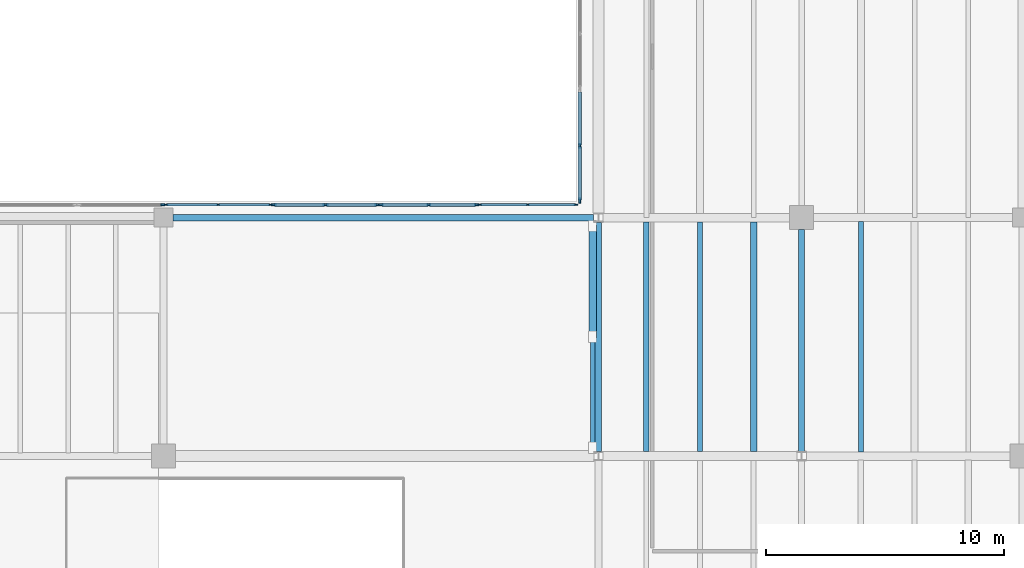
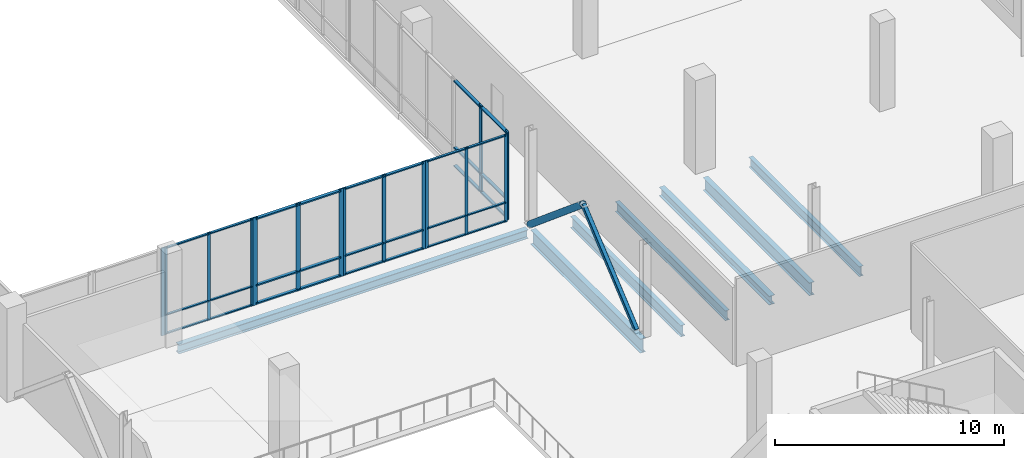
# One storey, part 44 of 81: 47 members, 7 beams, 6 elements without a shape of their own.
"""IFC4 building model written with IfcOpenShell, lengths in metres."""

from ifc_helpers import new_model, si_unit, direction, frame, origin, origin_2d, place, context, subcontext, project, spatial, rectangle, hollow_rectangle, hollow_circle, i_section, extrude, material, material_profile, profile_set, type_object, element, aggregate, save


model = new_model("IFC4")

# Units and contexts
model_context = context("Model", 3, precision=1e-05, world=origin(), true_north=direction((0.0, 1.0)))
body_context = subcontext(model_context, "Body", "Model", "MODEL_VIEW")
ifc_project = project(units=[si_unit("LENGTHUNIT", "METRE"), si_unit("AREAUNIT", "SQUARE_METRE"), si_unit("VOLUMEUNIT", "CUBIC_METRE"), si_unit("PLANEANGLEUNIT", "RADIAN"), si_unit("MASSUNIT", "GRAM", prefix="KILO")], contexts=[model_context])

# Site, building, storey
site_placement = place(None, origin())
site = spatial("IfcSite", under=ifc_project, at=site_placement, CompositionType="ELEMENT")
building_placement = place(site_placement, origin())
building = spatial("IfcBuilding", under=site, at=building_placement, Name="Trimount Lyric Opera House", CompositionType="ELEMENT")
storey_placement = place(building_placement, frame((0.0, 0.0, 5.0)))
storey = spatial("IfcBuildingStorey", under=building, at=storey_placement, Name="L01", CompositionType="ELEMENT", Elevation=5.0)

# Beams
ifc_material_1 = material(Name="Steel ASTM A992 Grade 50", Category="steel")
ifc_material_profile_1 = material_profile(ifc_material_1, i_section(OverallWidth=0.26708984375, OverallDepth=0.761962890625, WebThickness=0.014404296875, FlangeThickness=0.021484375, FilletRadius=0.01708984375, at=origin_2d()), Name="W30X116")
ifc_profile_set_1 = profile_set([ifc_material_profile_1], Name="Steel ASTM A992 Grade 50")
beam_type_1 = type_object("IfcBeamType", Name="B-07", PredefinedType="BEAM", material=ifc_profile_set_1)
beam_1_placement = place(storey_placement, frame((148.239990234375, 64.18408203125, -0.660888671875), z_axis=(0.0, 1.0, 0.0), x_axis=(-1.0, 0.0, 0.0)))
element("IfcBeam", 1, at=beam_1_placement, inside=storey, type_object=beam_type_1, Name="L01 girder Y-0685", PredefinedType="BEAM", context=body_context, shape_type="SweptSolid", body=[
    extrude(i_section(OverallWidth=0.26708984375, OverallDepth=0.761962890625, WebThickness=0.014404296875, FlangeThickness=0.021484375, FilletRadius=0.01708984375, at=origin_2d()), origin(), (0.0, 0.0, 1.0), 9.622802734375),
])
ifc_material_2 = material(Name="Steel ASTM A992 Grade 50", Category="steel")
ifc_material_profile_2 = material_profile(ifc_material_2, i_section(OverallWidth=0.25390625, OverallDepth=0.68798828125, WebThickness=0.01318359375, FlangeThickness=0.02099609375, FilletRadius=0.01611328125, at=origin_2d()), Name="W27X102")
ifc_profile_set_2 = profile_set([ifc_material_profile_2], Name="Steel ASTM A992 Grade 50")
beam_type_2 = type_object("IfcBeamType", Name="B-09", PredefinedType="BEAM", material=ifc_profile_set_2)
beam_2_placement = place(storey_placement, frame((156.760009765625, 64.193115234375, -0.6240234375), z_axis=(0.0, 1.0, 0.0), x_axis=(-1.0, 0.0, 0.0)))
element("IfcBeam", 2, at=beam_2_placement, inside=storey, type_object=beam_type_2, Name="L01 girder Y-0692", PredefinedType="BEAM", context=body_context, shape_type="SweptSolid", body=[
    extrude(i_section(OverallWidth=0.25390625, OverallDepth=0.68798828125, WebThickness=0.01318359375, FlangeThickness=0.02099609375, FilletRadius=0.01611328125, at=origin_2d()), origin(), (0.0, 0.0, 1.0), 9.306884765625),
])

# Members
ifc_material_3 = material(Name="Steel ASTM A500 Grade C", Category="steel")
ifc_material_profile_3 = material_profile(ifc_material_3, hollow_rectangle(XDim=0.203125, YDim=0.203125, WallThickness=0.0087890625, InnerFilletRadius=0.00927734375, OuterFilletRadius=0.01806640625, at=origin_2d()), Name="HSS203.2X203.2X9.5")
ifc_profile_set_3 = profile_set([ifc_material_profile_3], Name="Steel ASTM A500 Grade C")
member_type_1 = type_object("IfcMemberType", Name="BR-04", PredefinedType="BRACE", material=ifc_profile_set_3)
member_1_placement = place(storey_placement, frame((148.0, 64.35009765625, 0.14990234375), z_axis=(0.0, 0.766173014074, 0.642634353661), x_axis=(-1.0, 0.0, 0.0)))
element("IfcMember", 3, at=member_1_placement, inside=storey, type_object=member_type_1, Name="L01 lateral chevron brace BF-4.1", PredefinedType="BRACE", context=body_context, shape_type="SweptSolid", body=[
    extrude(hollow_rectangle(XDim=0.203125, YDim=0.203125, WallThickness=0.0087890625, InnerFilletRadius=0.00927734375, OuterFilletRadius=0.01806640625, at=origin_2d()), origin(), (0.0, 0.0, 1.0), 6.069091796875),
])
ifc_material_4 = material(Name="Steel ASTM A500 Grade C", Category="steel")
ifc_material_profile_4 = material_profile(ifc_material_4, hollow_circle(Radius=0.161865234375, WallThickness=0.01171875, at=origin_2d()), Name="HSS323.9X12.7")
ifc_profile_set_4 = profile_set([ifc_material_profile_4], Name="Steel ASTM A500 Grade C")
member_type_2 = type_object("IfcMemberType", Name="BR-05", PredefinedType="BRACE", material=ifc_profile_set_4)
member_2_placement = place(storey_placement, frame((148.0, 73.64990234375, 0.14990234375), z_axis=(0.0, -0.766173014074, 0.642634353661), x_axis=(1.0, 0.0, 0.0)))
element("IfcMember", 4, at=member_2_placement, inside=storey, type_object=member_type_2, Name="L01 lateral chevron brace BF-4.2", PredefinedType="BRACE", context=body_context, shape_type="SweptSolid", body=[
    extrude(hollow_circle(Radius=0.161865234375, WallThickness=0.01171875, at=origin_2d()), origin(), (0.0, 0.0, 1.0), 6.069091796875),
])

# Beams
ifc_material_5 = material(Name="Steel ASTM A992 Grade 50", Category="steel")
ifc_material_profile_5 = material_profile(ifc_material_5, i_section(OverallWidth=0.22802734375, OverallDepth=0.60205078125, WebThickness=0.010498046875, FlangeThickness=0.014892578125, FilletRadius=0.012939453125, at=origin_2d()), Name="W24X68")
ifc_profile_set_5 = profile_set([ifc_material_profile_5], Name="Steel ASTM A992 Grade 50")
beam_type_3 = type_object("IfcBeamType", Name="J-01", PredefinedType="BEAM", material=ifc_profile_set_5)
beam_3_placement = place(storey_placement, frame((150.25, 64.18701171875, -0.5810546875), z_axis=(0.0, 1.0, 0.0), x_axis=(-1.0, 0.0, 0.0)))
element("IfcBeam", 5, at=beam_3_placement, inside=storey, type_object=beam_type_3, Name="L01 composite floor joist 0737", PredefinedType="BEAM", context=body_context, shape_type="SweptSolid", body=[
    extrude(i_section(OverallWidth=0.22802734375, OverallDepth=0.60205078125, WebThickness=0.010498046875, FlangeThickness=0.014892578125, FilletRadius=0.012939453125, at=origin_2d()), origin(), (0.0, 0.0, 1.0), 9.638916015625),
])
ifc_material_6 = material(Name="Steel ASTM A992 Grade 50", Category="steel")
ifc_material_profile_6 = material_profile(ifc_material_6, i_section(OverallWidth=0.2099609375, OverallDepth=0.532958984375, WebThickness=0.01025390625, FlangeThickness=0.015625, FilletRadius=0.012939453125, at=origin_2d()), Name="W21X62")
ifc_profile_set_6 = profile_set([ifc_material_profile_6], Name="Steel ASTM A992 Grade 50")
beam_type_4 = type_object("IfcBeamType", Name="J-02", PredefinedType="BEAM", material=ifc_profile_set_6)
beam_4_placement = place(storey_placement, frame((152.5, 64.18701171875, -0.54638671875), z_axis=(0.0, 1.0, 0.0), x_axis=(-1.0, 0.0, 0.0)))
element("IfcBeam", 6, at=beam_4_placement, inside=storey, type_object=beam_type_4, Name="L01 composite floor joist 0738", PredefinedType="BEAM", context=body_context, shape_type="SweptSolid", body=[
    extrude(i_section(OverallWidth=0.2099609375, OverallDepth=0.532958984375, WebThickness=0.01025390625, FlangeThickness=0.015625, FilletRadius=0.012939453125, at=origin_2d()), origin(), (0.0, 0.0, 1.0), 9.638916015625),
])
beam_5_placement = place(storey_placement, frame((159.25, 64.174072265625, -0.54638671875), z_axis=(0.0, 1.0, 0.0), x_axis=(-1.0, 0.0, 0.0)))
element("IfcBeam", 7, at=beam_5_placement, inside=storey, type_object=beam_type_4, Name="L01 composite floor joist 0761", PredefinedType="BEAM", context=body_context, shape_type="SweptSolid", body=[
    extrude(i_section(OverallWidth=0.2099609375, OverallDepth=0.532958984375, WebThickness=0.01025390625, FlangeThickness=0.015625, FilletRadius=0.012939453125, at=origin_2d()), origin(), (0.0, 0.0, 1.0), 9.666015625),
])
ifc_material_7 = material(Name="Steel ASTM A992 Grade 50", Category="steel")
ifc_material_profile_7 = material_profile(ifc_material_7, i_section(OverallWidth=0.281982421875, OverallDepth=0.467041015625, WebThickness=0.01220703125, FlangeThickness=0.01953125, FilletRadius=0.012939453125, at=origin_2d()), Name="W18X86")
ifc_profile_set_7 = profile_set([ifc_material_profile_7], Name="Steel ASTM A992 Grade 50")
beam_type_5 = type_object("IfcBeamType", Name="J-03", PredefinedType="BEAM", material=ifc_profile_set_7)
beam_6_placement = place(storey_placement, frame((154.75, 64.18701171875, -0.513427734375), z_axis=(0.0, 1.0, 0.0), x_axis=(-1.0, 0.0, 0.0)))
element("IfcBeam", 8, at=beam_6_placement, inside=storey, type_object=beam_type_5, Name="L01 composite floor joist 0739", PredefinedType="BEAM", context=body_context, shape_type="SweptSolid", body=[
    extrude(i_section(OverallWidth=0.281982421875, OverallDepth=0.467041015625, WebThickness=0.01220703125, FlangeThickness=0.01953125, FilletRadius=0.012939453125, at=origin_2d()), origin(), (0.0, 0.0, 1.0), 9.638916015625),
])

# Curtain wall, members
ifc_material_8 = material(Name="Thermally Broken Aluminium and Low-E Glass", Category="aluminium")
curtain_wall_type = type_object("IfcCurtainWallType", Name="CW-03", PredefinedType="NOTDEFINED", material=ifc_material_8)
curtain_wall_1_placement = place(storey_placement, origin())
curtain_wall_1 = element("IfcCurtainWall", 9, at=curtain_wall_1_placement, inside=storey, type_object=curtain_wall_type, Name="L01 curtain wall 123", PredefinedType="NOTDEFINED")
ifc_material_9 = material(Name="Anodised Aluminium 6063-T6", Category="aluminium")
ifc_material_profile_8 = material_profile(ifc_material_9, rectangle(XDim=0.070068359375, YDim=0.219970703125, at=origin_2d()), Name="ALU-MULL-70X220")
ifc_profile_set_8 = profile_set([ifc_material_profile_8], Name="Anodised Aluminium 6063-T6")
member_type_3 = type_object("IfcMemberType", Name="ML-01", PredefinedType="MULLION", material=ifc_profile_set_8)
member_3_placement = place(storey_placement, frame((134.625, 74.5400390625, 0.0), z_axis=(0.0, 0.0, 1.0), x_axis=(0.0, 1.0, 0.0)))
member_3 = element("IfcMember", 10, at=member_3_placement, type_object=member_type_3, Name="CW-03 mullion 1", PredefinedType="MULLION", context=body_context, shape_type="SweptSolid", body=[
    extrude(rectangle(XDim=0.070068359375, YDim=0.219970703125, at=origin_2d()), origin(), (0.0, 0.0, 1.0), 4.679931640625),
])
member_4_placement = place(storey_placement, frame((136.794921875, 74.5400390625, 0.0), z_axis=(0.0, 0.0, 1.0), x_axis=(0.0, 1.0, 0.0)))
member_4 = element("IfcMember", 11, at=member_4_placement, type_object=member_type_3, Name="CW-03 mullion 2", PredefinedType="MULLION", context=body_context, shape_type="SweptSolid", body=[
    extrude(rectangle(XDim=0.070068359375, YDim=0.219970703125, at=origin_2d()), origin(), (0.0, 0.0, 1.0), 4.679931640625),
])
member_5_placement = place(storey_placement, frame((138.965087890625, 74.5400390625, 0.0), z_axis=(0.0, 0.0, 1.0), x_axis=(0.0, 1.0, 0.0)))
member_5 = element("IfcMember", 12, at=member_5_placement, type_object=member_type_3, Name="CW-03 mullion 3", PredefinedType="MULLION", context=body_context, shape_type="SweptSolid", body=[
    extrude(rectangle(XDim=0.070068359375, YDim=0.219970703125, at=origin_2d()), origin(), (0.0, 0.0, 1.0), 4.679931640625),
])

curtain_wall_2_placement = place(storey_placement, origin())
curtain_wall_2 = element("IfcCurtainWall", 13, at=curtain_wall_2_placement, inside=storey, type_object=curtain_wall_type, Name="L01 curtain wall 126", PredefinedType="NOTDEFINED")
member_6_placement = place(storey_placement, frame((147.4599609375, 74.715087890625, 0.0), z_axis=(0.0, 0.0, 1.0), x_axis=(-1.0, 0.0, 0.0)))
member_6 = element("IfcMember", 14, at=member_6_placement, type_object=member_type_3, Name="CW-03 mullion 1", PredefinedType="MULLION", context=body_context, shape_type="SweptSolid", body=[
    extrude(rectangle(XDim=0.070068359375, YDim=0.219970703125, at=origin_2d()), origin(), (0.0, 0.0, 1.0), 4.679931640625),
])
member_7_placement = place(storey_placement, frame((147.4599609375, 77.010009765625, 0.0), z_axis=(0.0, 0.0, 1.0), x_axis=(-1.0, 0.0, 0.0)))
member_7 = element("IfcMember", 15, at=member_7_placement, type_object=member_type_3, Name="CW-03 mullion 2", PredefinedType="MULLION", context=body_context, shape_type="SweptSolid", body=[
    extrude(rectangle(XDim=0.070068359375, YDim=0.219970703125, at=origin_2d()), origin(), (0.0, 0.0, 1.0), 4.679931640625),
])

# Curtain wall, member
curtain_wall_3_placement = place(storey_placement, origin())
curtain_wall_3 = element("IfcCurtainWall", 16, at=curtain_wall_3_placement, inside=storey, type_object=curtain_wall_type, Name="L01 curtain wall 121", PredefinedType="NOTDEFINED")
ifc_material_10 = material(Name="Anodised Aluminium 6063-T6", Category="aluminium")
ifc_material_profile_9 = material_profile(ifc_material_10, rectangle(XDim=0.06494140625, YDim=0.179931640625, at=origin_2d()), Name="ALU-MULL-65X180")
ifc_profile_set_9 = profile_set([ifc_material_profile_9], Name="Anodised Aluminium 6063-T6")
member_type_4 = type_object("IfcMemberType", Name="ML-02", PredefinedType="MULLION", material=ifc_profile_set_9)
member_8_placement = place(storey_placement, frame((129.967529296875, 74.5400390625, 0.0), z_axis=(0.0, 0.0, 1.0), x_axis=(0.0, 1.0, 0.0)))
member_8 = element("IfcMember", 17, at=member_8_placement, type_object=member_type_4, Name="CW-03 mullion 2", PredefinedType="MULLION", context=body_context, shape_type="SweptSolid", body=[
    extrude(rectangle(XDim=0.06494140625, YDim=0.179931640625, at=origin_2d()), origin(), (0.0, 0.0, 1.0), 4.679931640625),
])
aggregate(curtain_wall_3, [member_8])

# Curtain wall, members
curtain_wall_4_placement = place(storey_placement, origin())
curtain_wall_4 = element("IfcCurtainWall", 18, at=curtain_wall_4_placement, inside=storey, type_object=curtain_wall_type, Name="L01 curtain wall 124", PredefinedType="NOTDEFINED")
member_9_placement = place(storey_placement, frame((139.12255859375, 74.5400390625, 0.0), z_axis=(0.0, 0.0, 1.0), x_axis=(0.0, 1.0, 0.0)))
member_9 = element("IfcMember", 19, at=member_9_placement, type_object=member_type_4, Name="CW-03 mullion 1", PredefinedType="MULLION", context=body_context, shape_type="SweptSolid", body=[
    extrude(rectangle(XDim=0.06494140625, YDim=0.179931640625, at=origin_2d()), origin(), (0.0, 0.0, 1.0), 4.679931640625),
])
member_10_placement = place(storey_placement, frame((141.125, 74.5400390625, 0.0), z_axis=(0.0, 0.0, 1.0), x_axis=(0.0, 1.0, 0.0)))
member_10 = element("IfcMember", 20, at=member_10_placement, type_object=member_type_4, Name="CW-03 mullion 2", PredefinedType="MULLION", context=body_context, shape_type="SweptSolid", body=[
    extrude(rectangle(XDim=0.06494140625, YDim=0.179931640625, at=origin_2d()), origin(), (0.0, 0.0, 1.0), 4.679931640625),
])
member_11_placement = place(storey_placement, frame((143.12744140625, 74.5400390625, 0.0), z_axis=(0.0, 0.0, 1.0), x_axis=(0.0, 1.0, 0.0)))
member_11 = element("IfcMember", 21, at=member_11_placement, type_object=member_type_4, Name="CW-03 mullion 3", PredefinedType="MULLION", context=body_context, shape_type="SweptSolid", body=[
    extrude(rectangle(XDim=0.06494140625, YDim=0.179931640625, at=origin_2d()), origin(), (0.0, 0.0, 1.0), 4.679931640625),
])

curtain_wall_5_placement = place(storey_placement, origin())
curtain_wall_5 = element("IfcCurtainWall", 22, at=curtain_wall_5_placement, inside=storey, type_object=curtain_wall_type, Name="L01 curtain wall 122", PredefinedType="NOTDEFINED")
ifc_material_11 = material(Name="Anodised Aluminium 6063-T6", Category="aluminium")
ifc_material_profile_10 = material_profile(ifc_material_11, rectangle(XDim=0.06005859375, YDim=0.14990234375, at=origin_2d()), Name="ALU-MULL-60X150")
ifc_profile_set_10 = profile_set([ifc_material_profile_10], Name="Anodised Aluminium 6063-T6")
member_type_5 = type_object("IfcMemberType", Name="ML-03", PredefinedType="MULLION", material=ifc_profile_set_10)
member_12_placement = place(storey_placement, frame((130.1201171875, 74.5400390625, 0.0), z_axis=(0.0, 0.0, 1.0), x_axis=(0.0, 1.0, 0.0)))
member_12 = element("IfcMember", 23, at=member_12_placement, type_object=member_type_5, Name="CW-03 mullion 1", PredefinedType="MULLION", context=body_context, shape_type="SweptSolid", body=[
    extrude(rectangle(XDim=0.06005859375, YDim=0.14990234375, at=origin_2d()), origin(), (0.0, 0.0, 1.0), 4.679931640625),
])
member_13_placement = place(storey_placement, frame((132.294921875, 74.5400390625, 0.0), z_axis=(0.0, 0.0, 1.0), x_axis=(0.0, 1.0, 0.0)))
member_13 = element("IfcMember", 24, at=member_13_placement, type_object=member_type_5, Name="CW-03 mullion 2", PredefinedType="MULLION", context=body_context, shape_type="SweptSolid", body=[
    extrude(rectangle(XDim=0.06005859375, YDim=0.14990234375, at=origin_2d()), origin(), (0.0, 0.0, 1.0), 4.679931640625),
])
member_14_placement = place(storey_placement, frame((134.469970703125, 74.5400390625, 0.0), z_axis=(0.0, 0.0, 1.0), x_axis=(0.0, 1.0, 0.0)))
member_14 = element("IfcMember", 25, at=member_14_placement, type_object=member_type_5, Name="CW-03 mullion 3", PredefinedType="MULLION", context=body_context, shape_type="SweptSolid", body=[
    extrude(rectangle(XDim=0.06005859375, YDim=0.14990234375, at=origin_2d()), origin(), (0.0, 0.0, 1.0), 4.679931640625),
])

curtain_wall_6_placement = place(storey_placement, origin())
curtain_wall_6 = element("IfcCurtainWall", 26, at=curtain_wall_6_placement, inside=storey, type_object=curtain_wall_type, Name="L01 curtain wall 125", PredefinedType="NOTDEFINED")
member_15_placement = place(storey_placement, frame((143.280029296875, 74.5400390625, 0.0), z_axis=(0.0, 0.0, 1.0), x_axis=(0.0, 1.0, 0.0)))
member_15 = element("IfcMember", 27, at=member_15_placement, type_object=member_type_5, Name="CW-03 mullion 1", PredefinedType="MULLION", context=body_context, shape_type="SweptSolid", body=[
    extrude(rectangle(XDim=0.06005859375, YDim=0.14990234375, at=origin_2d()), origin(), (0.0, 0.0, 1.0), 4.679931640625),
])
member_16_placement = place(storey_placement, frame((145.284912109375, 74.5400390625, 0.0), z_axis=(0.0, 0.0, 1.0), x_axis=(0.0, 1.0, 0.0)))
member_16 = element("IfcMember", 28, at=member_16_placement, type_object=member_type_5, Name="CW-03 mullion 2", PredefinedType="MULLION", context=body_context, shape_type="SweptSolid", body=[
    extrude(rectangle(XDim=0.06005859375, YDim=0.14990234375, at=origin_2d()), origin(), (0.0, 0.0, 1.0), 4.679931640625),
])
member_17_placement = place(storey_placement, frame((147.2900390625, 74.5400390625, 0.0), z_axis=(0.0, 0.0, 1.0), x_axis=(0.0, 1.0, 0.0)))
member_17 = element("IfcMember", 29, at=member_17_placement, type_object=member_type_5, Name="CW-03 mullion 3", PredefinedType="MULLION", context=body_context, shape_type="SweptSolid", body=[
    extrude(rectangle(XDim=0.06005859375, YDim=0.14990234375, at=origin_2d()), origin(), (0.0, 0.0, 1.0), 4.679931640625),
])

# Beam
ifc_material_12 = material(Name="Steel ASTM A992 Grade 50", Category="steel")
ifc_material_profile_11 = material_profile(ifc_material_12, i_section(OverallWidth=0.281982421875, OverallDepth=0.467041015625, WebThickness=0.01220703125, FlangeThickness=0.01953125, FilletRadius=0.012939453125, at=origin_2d()), Name="W18X86")
ifc_profile_set_11 = profile_set([ifc_material_profile_11], Name="Steel ASTM A992 Grade 50")
beam_type_6 = type_object("IfcBeamType", Name="SP-01", PredefinedType="SPANDREL", material=ifc_profile_set_11)
beam_7_placement = place(storey_placement, frame((130.39990234375, 74.0, -0.513427734375), z_axis=(1.0, 0.0, 0.0), x_axis=(0.0, 1.0, 0.0)))
element("IfcBeam", 30, at=beam_7_placement, inside=storey, type_object=beam_type_6, Name="L01 girder X-0529", PredefinedType="SPANDREL", context=body_context, shape_type="SweptSolid", body=[
    extrude(i_section(OverallWidth=0.281982421875, OverallDepth=0.467041015625, WebThickness=0.01220703125, FlangeThickness=0.01953125, FilletRadius=0.012939453125, at=origin_2d()), origin(), (0.0, 0.0, 1.0), 17.640625),
])

# Member
ifc_material_13 = material(Name="Anodised Aluminium 6063-T6", Category="aluminium")
ifc_material_profile_12 = material_profile(ifc_material_13, rectangle(XDim=0.159912109375, YDim=0.070068359375, at=origin_2d()), Name="ALU-TRAN-70X160")
ifc_profile_set_12 = profile_set([ifc_material_profile_12], Name="Anodised Aluminium 6063-T6")
member_type_6 = type_object("IfcMemberType", Name="TR-01", PredefinedType="USERDEFINED", material=ifc_profile_set_12)
member_18_placement = place(storey_placement, frame((134.659912109375, 74.5400390625, 0.080078125), z_axis=(1.0, 0.0, 0.0), x_axis=(0.0, 1.0, 0.0)))
member_18 = element("IfcMember", 31, at=member_18_placement, type_object=member_type_6, Name="CW-03 transom 1.1", ObjectType="TRANSOM", PredefinedType="USERDEFINED", context=body_context, shape_type="SweptSolid", body=[
    extrude(rectangle(XDim=0.159912109375, YDim=0.070068359375, at=origin_2d()), origin(), (0.0, 0.0, 1.0), 2.10009765625),
])

member_19_placement = place(storey_placement, frame((134.659912109375, 74.5400390625, 1.050048828125), z_axis=(1.0, 0.0, 0.0), x_axis=(0.0, 1.0, 0.0)))
member_19 = element("IfcMember", 32, at=member_19_placement, type_object=member_type_6, Name="CW-03 transom 1.2", ObjectType="TRANSOM", PredefinedType="USERDEFINED", context=body_context, shape_type="SweptSolid", body=[
    extrude(rectangle(XDim=0.159912109375, YDim=0.070068359375, at=origin_2d()), origin(), (0.0, 0.0, 1.0), 2.10009765625),
])

member_20_placement = place(storey_placement, frame((134.659912109375, 74.5400390625, 4.60009765625), z_axis=(1.0, 0.0, 0.0), x_axis=(0.0, 1.0, 0.0)))
member_20 = element("IfcMember", 33, at=member_20_placement, type_object=member_type_6, Name="CW-03 transom 1.3", ObjectType="TRANSOM", PredefinedType="USERDEFINED", context=body_context, shape_type="SweptSolid", body=[
    extrude(rectangle(XDim=0.159912109375, YDim=0.070068359375, at=origin_2d()), origin(), (0.0, 0.0, 1.0), 2.10009765625),
])

member_21_placement = place(storey_placement, frame((136.830078125, 74.5400390625, 0.080078125), z_axis=(1.0, 0.0, 0.0), x_axis=(0.0, 1.0, 0.0)))
member_21 = element("IfcMember", 34, at=member_21_placement, type_object=member_type_6, Name="CW-03 transom 2.1", ObjectType="TRANSOM", PredefinedType="USERDEFINED", context=body_context, shape_type="SweptSolid", body=[
    extrude(rectangle(XDim=0.159912109375, YDim=0.070068359375, at=origin_2d()), origin(), (0.0, 0.0, 1.0), 2.099853515625),
])

member_22_placement = place(storey_placement, frame((136.830078125, 74.5400390625, 1.050048828125), z_axis=(1.0, 0.0, 0.0), x_axis=(0.0, 1.0, 0.0)))
member_22 = element("IfcMember", 35, at=member_22_placement, type_object=member_type_6, Name="CW-03 transom 2.2", ObjectType="TRANSOM", PredefinedType="USERDEFINED", context=body_context, shape_type="SweptSolid", body=[
    extrude(rectangle(XDim=0.159912109375, YDim=0.070068359375, at=origin_2d()), origin(), (0.0, 0.0, 1.0), 2.099853515625),
])

member_23_placement = place(storey_placement, frame((136.830078125, 74.5400390625, 4.60009765625), z_axis=(1.0, 0.0, 0.0), x_axis=(0.0, 1.0, 0.0)))
member_23 = element("IfcMember", 36, at=member_23_placement, type_object=member_type_6, Name="CW-03 transom 2.3", ObjectType="TRANSOM", PredefinedType="USERDEFINED", context=body_context, shape_type="SweptSolid", body=[
    extrude(rectangle(XDim=0.159912109375, YDim=0.070068359375, at=origin_2d()), origin(), (0.0, 0.0, 1.0), 2.099853515625),
])

aggregate(curtain_wall_1, [member_3, member_4, member_5, member_18, member_19, member_20, member_21, member_22, member_23])

member_24_placement = place(storey_placement, frame((147.4599609375, 74.75, 0.080078125), z_axis=(0.0, 1.0, 0.0), x_axis=(-1.0, 0.0, 0.0)))
member_24 = element("IfcMember", 37, at=member_24_placement, type_object=member_type_6, Name="CW-03 transom 1.1", ObjectType="TRANSOM", PredefinedType="USERDEFINED", context=body_context, shape_type="SweptSolid", body=[
    extrude(rectangle(XDim=0.159912109375, YDim=0.070068359375, at=origin_2d()), origin(), (0.0, 0.0, 1.0), 2.22509765625),
])

member_25_placement = place(storey_placement, frame((147.4599609375, 74.75, 1.050048828125), z_axis=(0.0, 1.0, 0.0), x_axis=(-1.0, 0.0, 0.0)))
member_25 = element("IfcMember", 38, at=member_25_placement, type_object=member_type_6, Name="CW-03 transom 1.2", ObjectType="TRANSOM", PredefinedType="USERDEFINED", context=body_context, shape_type="SweptSolid", body=[
    extrude(rectangle(XDim=0.159912109375, YDim=0.070068359375, at=origin_2d()), origin(), (0.0, 0.0, 1.0), 2.22509765625),
])

member_26_placement = place(storey_placement, frame((147.4599609375, 74.75, 4.60009765625), z_axis=(0.0, 1.0, 0.0), x_axis=(-1.0, 0.0, 0.0)))
member_26 = element("IfcMember", 39, at=member_26_placement, type_object=member_type_6, Name="CW-03 transom 1.3", ObjectType="TRANSOM", PredefinedType="USERDEFINED", context=body_context, shape_type="SweptSolid", body=[
    extrude(rectangle(XDim=0.159912109375, YDim=0.070068359375, at=origin_2d()), origin(), (0.0, 0.0, 1.0), 2.22509765625),
])

member_27_placement = place(storey_placement, frame((147.4599609375, 77.044921875, 0.080078125), z_axis=(0.0, 1.0, 0.0), x_axis=(-1.0, 0.0, 0.0)))
member_27 = element("IfcMember", 40, at=member_27_placement, type_object=member_type_6, Name="CW-03 transom 2.1", ObjectType="TRANSOM", PredefinedType="USERDEFINED", context=body_context, shape_type="SweptSolid", body=[
    extrude(rectangle(XDim=0.159912109375, YDim=0.070068359375, at=origin_2d()), origin(), (0.0, 0.0, 1.0), 2.22509765625),
])

member_28_placement = place(storey_placement, frame((147.4599609375, 77.044921875, 1.050048828125), z_axis=(0.0, 1.0, 0.0), x_axis=(-1.0, 0.0, 0.0)))
member_28 = element("IfcMember", 41, at=member_28_placement, type_object=member_type_6, Name="CW-03 transom 2.2", ObjectType="TRANSOM", PredefinedType="USERDEFINED", context=body_context, shape_type="SweptSolid", body=[
    extrude(rectangle(XDim=0.159912109375, YDim=0.070068359375, at=origin_2d()), origin(), (0.0, 0.0, 1.0), 2.22509765625),
])

member_29_placement = place(storey_placement, frame((147.4599609375, 77.044921875, 4.60009765625), z_axis=(0.0, 1.0, 0.0), x_axis=(-1.0, 0.0, 0.0)))
member_29 = element("IfcMember", 42, at=member_29_placement, type_object=member_type_6, Name="CW-03 transom 2.3", ObjectType="TRANSOM", PredefinedType="USERDEFINED", context=body_context, shape_type="SweptSolid", body=[
    extrude(rectangle(XDim=0.159912109375, YDim=0.070068359375, at=origin_2d()), origin(), (0.0, 0.0, 1.0), 2.22509765625),
])

aggregate(curtain_wall_2, [member_6, member_7, member_24, member_25, member_26, member_27, member_28, member_29])

ifc_material_14 = material(Name="Anodised Aluminium 6063-T6", Category="aluminium")
ifc_material_profile_13 = material_profile(ifc_material_14, rectangle(XDim=0.135009765625, YDim=0.06494140625, at=origin_2d()), Name="ALU-TRAN-65X135")
ifc_profile_set_13 = profile_set([ifc_material_profile_13], Name="Anodised Aluminium 6063-T6")
member_type_7 = type_object("IfcMemberType", Name="TR-02", PredefinedType="USERDEFINED", material=ifc_profile_set_13)
member_30_placement = place(storey_placement, frame((139.155029296875, 74.5400390625, 0.0673828125), z_axis=(1.0, 0.0, 0.0), x_axis=(0.0, 1.0, 0.0)))
member_30 = element("IfcMember", 43, at=member_30_placement, type_object=member_type_7, Name="CW-03 transom 1.1", ObjectType="TRANSOM", PredefinedType="USERDEFINED", context=body_context, shape_type="SweptSolid", body=[
    extrude(rectangle(XDim=0.135009765625, YDim=0.06494140625, at=origin_2d()), origin(), (0.0, 0.0, 1.0), 1.9375),
])

member_31_placement = place(storey_placement, frame((139.155029296875, 74.5400390625, 1.050048828125), z_axis=(1.0, 0.0, 0.0), x_axis=(0.0, 1.0, 0.0)))
member_31 = element("IfcMember", 44, at=member_31_placement, type_object=member_type_7, Name="CW-03 transom 1.2", ObjectType="TRANSOM", PredefinedType="USERDEFINED", context=body_context, shape_type="SweptSolid", body=[
    extrude(rectangle(XDim=0.135009765625, YDim=0.06494140625, at=origin_2d()), origin(), (0.0, 0.0, 1.0), 1.9375),
])

member_32_placement = place(storey_placement, frame((139.155029296875, 74.5400390625, 4.612548828125), z_axis=(1.0, 0.0, 0.0), x_axis=(0.0, 1.0, 0.0)))
member_32 = element("IfcMember", 45, at=member_32_placement, type_object=member_type_7, Name="CW-03 transom 1.3", ObjectType="TRANSOM", PredefinedType="USERDEFINED", context=body_context, shape_type="SweptSolid", body=[
    extrude(rectangle(XDim=0.135009765625, YDim=0.06494140625, at=origin_2d()), origin(), (0.0, 0.0, 1.0), 1.9375),
])

member_33_placement = place(storey_placement, frame((141.157470703125, 74.5400390625, 0.0673828125), z_axis=(1.0, 0.0, 0.0), x_axis=(0.0, 1.0, 0.0)))
member_33 = element("IfcMember", 46, at=member_33_placement, type_object=member_type_7, Name="CW-03 transom 2.1", ObjectType="TRANSOM", PredefinedType="USERDEFINED", context=body_context, shape_type="SweptSolid", body=[
    extrude(rectangle(XDim=0.135009765625, YDim=0.06494140625, at=origin_2d()), origin(), (0.0, 0.0, 1.0), 1.9375),
])

member_34_placement = place(storey_placement, frame((141.157470703125, 74.5400390625, 1.050048828125), z_axis=(1.0, 0.0, 0.0), x_axis=(0.0, 1.0, 0.0)))
member_34 = element("IfcMember", 47, at=member_34_placement, type_object=member_type_7, Name="CW-03 transom 2.2", ObjectType="TRANSOM", PredefinedType="USERDEFINED", context=body_context, shape_type="SweptSolid", body=[
    extrude(rectangle(XDim=0.135009765625, YDim=0.06494140625, at=origin_2d()), origin(), (0.0, 0.0, 1.0), 1.9375),
])

member_35_placement = place(storey_placement, frame((141.157470703125, 74.5400390625, 4.612548828125), z_axis=(1.0, 0.0, 0.0), x_axis=(0.0, 1.0, 0.0)))
member_35 = element("IfcMember", 48, at=member_35_placement, type_object=member_type_7, Name="CW-03 transom 2.3", ObjectType="TRANSOM", PredefinedType="USERDEFINED", context=body_context, shape_type="SweptSolid", body=[
    extrude(rectangle(XDim=0.135009765625, YDim=0.06494140625, at=origin_2d()), origin(), (0.0, 0.0, 1.0), 1.9375),
])

aggregate(curtain_wall_4, [member_9, member_10, member_11, member_30, member_31, member_32, member_33, member_34, member_35])

ifc_material_15 = material(Name="Anodised Aluminium 6063-T6", Category="aluminium")
ifc_material_profile_14 = material_profile(ifc_material_15, rectangle(XDim=0.114990234375, YDim=0.06005859375, at=origin_2d()), Name="ALU-TRAN-60X115")
ifc_profile_set_14 = profile_set([ifc_material_profile_14], Name="Anodised Aluminium 6063-T6")
member_type_8 = type_object("IfcMemberType", Name="TR-03", PredefinedType="USERDEFINED", material=ifc_profile_set_14)
member_36_placement = place(storey_placement, frame((130.14990234375, 74.5400390625, 0.0576171875), z_axis=(1.0, 0.0, 0.0), x_axis=(0.0, 1.0, 0.0)))
member_36 = element("IfcMember", 49, at=member_36_placement, type_object=member_type_8, Name="CW-03 transom 1.1", ObjectType="TRANSOM", PredefinedType="USERDEFINED", context=body_context, shape_type="SweptSolid", body=[
    extrude(rectangle(XDim=0.114990234375, YDim=0.06005859375, at=origin_2d()), origin(), (0.0, 0.0, 1.0), 2.114990234375),
])

member_37_placement = place(storey_placement, frame((130.14990234375, 74.5400390625, 1.050048828125), z_axis=(1.0, 0.0, 0.0), x_axis=(0.0, 1.0, 0.0)))
member_37 = element("IfcMember", 50, at=member_37_placement, type_object=member_type_8, Name="CW-03 transom 1.2", ObjectType="TRANSOM", PredefinedType="USERDEFINED", context=body_context, shape_type="SweptSolid", body=[
    extrude(rectangle(XDim=0.114990234375, YDim=0.06005859375, at=origin_2d()), origin(), (0.0, 0.0, 1.0), 2.114990234375),
])

member_38_placement = place(storey_placement, frame((130.14990234375, 74.5400390625, 4.62255859375), z_axis=(1.0, 0.0, 0.0), x_axis=(0.0, 1.0, 0.0)))
member_38 = element("IfcMember", 51, at=member_38_placement, type_object=member_type_8, Name="CW-03 transom 1.3", ObjectType="TRANSOM", PredefinedType="USERDEFINED", context=body_context, shape_type="SweptSolid", body=[
    extrude(rectangle(XDim=0.114990234375, YDim=0.06005859375, at=origin_2d()), origin(), (0.0, 0.0, 1.0), 2.114990234375),
])

member_39_placement = place(storey_placement, frame((132.324951171875, 74.5400390625, 0.0576171875), z_axis=(1.0, 0.0, 0.0), x_axis=(0.0, 1.0, 0.0)))
member_39 = element("IfcMember", 52, at=member_39_placement, type_object=member_type_8, Name="CW-03 transom 2.1", ObjectType="TRANSOM", PredefinedType="USERDEFINED", context=body_context, shape_type="SweptSolid", body=[
    extrude(rectangle(XDim=0.114990234375, YDim=0.06005859375, at=origin_2d()), origin(), (0.0, 0.0, 1.0), 2.114990234375),
])

member_40_placement = place(storey_placement, frame((132.324951171875, 74.5400390625, 1.050048828125), z_axis=(1.0, 0.0, 0.0), x_axis=(0.0, 1.0, 0.0)))
member_40 = element("IfcMember", 53, at=member_40_placement, type_object=member_type_8, Name="CW-03 transom 2.2", ObjectType="TRANSOM", PredefinedType="USERDEFINED", context=body_context, shape_type="SweptSolid", body=[
    extrude(rectangle(XDim=0.114990234375, YDim=0.06005859375, at=origin_2d()), origin(), (0.0, 0.0, 1.0), 2.114990234375),
])

member_41_placement = place(storey_placement, frame((132.324951171875, 74.5400390625, 4.62255859375), z_axis=(1.0, 0.0, 0.0), x_axis=(0.0, 1.0, 0.0)))
member_41 = element("IfcMember", 54, at=member_41_placement, type_object=member_type_8, Name="CW-03 transom 2.3", ObjectType="TRANSOM", PredefinedType="USERDEFINED", context=body_context, shape_type="SweptSolid", body=[
    extrude(rectangle(XDim=0.114990234375, YDim=0.06005859375, at=origin_2d()), origin(), (0.0, 0.0, 1.0), 2.114990234375),
])

aggregate(curtain_wall_5, [member_12, member_13, member_14, member_36, member_37, member_38, member_39, member_40, member_41])

member_42_placement = place(storey_placement, frame((143.31005859375, 74.5400390625, 0.0576171875), z_axis=(1.0, 0.0, 0.0), x_axis=(0.0, 1.0, 0.0)))
member_42 = element("IfcMember", 55, at=member_42_placement, type_object=member_type_8, Name="CW-03 transom 1.1", ObjectType="TRANSOM", PredefinedType="USERDEFINED", context=body_context, shape_type="SweptSolid", body=[
    extrude(rectangle(XDim=0.114990234375, YDim=0.06005859375, at=origin_2d()), origin(), (0.0, 0.0, 1.0), 1.94482421875),
])

member_43_placement = place(storey_placement, frame((143.31005859375, 74.5400390625, 1.050048828125), z_axis=(1.0, 0.0, 0.0), x_axis=(0.0, 1.0, 0.0)))
member_43 = element("IfcMember", 56, at=member_43_placement, type_object=member_type_8, Name="CW-03 transom 1.2", ObjectType="TRANSOM", PredefinedType="USERDEFINED", context=body_context, shape_type="SweptSolid", body=[
    extrude(rectangle(XDim=0.114990234375, YDim=0.06005859375, at=origin_2d()), origin(), (0.0, 0.0, 1.0), 1.94482421875),
])

member_44_placement = place(storey_placement, frame((143.31005859375, 74.5400390625, 4.62255859375), z_axis=(1.0, 0.0, 0.0), x_axis=(0.0, 1.0, 0.0)))
member_44 = element("IfcMember", 57, at=member_44_placement, type_object=member_type_8, Name="CW-03 transom 1.3", ObjectType="TRANSOM", PredefinedType="USERDEFINED", context=body_context, shape_type="SweptSolid", body=[
    extrude(rectangle(XDim=0.114990234375, YDim=0.06005859375, at=origin_2d()), origin(), (0.0, 0.0, 1.0), 1.94482421875),
])

member_45_placement = place(storey_placement, frame((145.31494140625, 74.5400390625, 0.0576171875), z_axis=(1.0, 0.0, 0.0), x_axis=(0.0, 1.0, 0.0)))
member_45 = element("IfcMember", 58, at=member_45_placement, type_object=member_type_8, Name="CW-03 transom 2.1", ObjectType="TRANSOM", PredefinedType="USERDEFINED", context=body_context, shape_type="SweptSolid", body=[
    extrude(rectangle(XDim=0.114990234375, YDim=0.06005859375, at=origin_2d()), origin(), (0.0, 0.0, 1.0), 1.945068359375),
])

member_46_placement = place(storey_placement, frame((145.31494140625, 74.5400390625, 1.050048828125), z_axis=(1.0, 0.0, 0.0), x_axis=(0.0, 1.0, 0.0)))
member_46 = element("IfcMember", 59, at=member_46_placement, type_object=member_type_8, Name="CW-03 transom 2.2", ObjectType="TRANSOM", PredefinedType="USERDEFINED", context=body_context, shape_type="SweptSolid", body=[
    extrude(rectangle(XDim=0.114990234375, YDim=0.06005859375, at=origin_2d()), origin(), (0.0, 0.0, 1.0), 1.945068359375),
])

member_47_placement = place(storey_placement, frame((145.31494140625, 74.5400390625, 4.62255859375), z_axis=(1.0, 0.0, 0.0), x_axis=(0.0, 1.0, 0.0)))
member_47 = element("IfcMember", 60, at=member_47_placement, type_object=member_type_8, Name="CW-03 transom 2.3", ObjectType="TRANSOM", PredefinedType="USERDEFINED", context=body_context, shape_type="SweptSolid", body=[
    extrude(rectangle(XDim=0.114990234375, YDim=0.06005859375, at=origin_2d()), origin(), (0.0, 0.0, 1.0), 1.945068359375),
])

aggregate(curtain_wall_6, [member_15, member_16, member_17, member_42, member_43, member_44, member_45, member_46, member_47])

save(model, "model.ifc")
